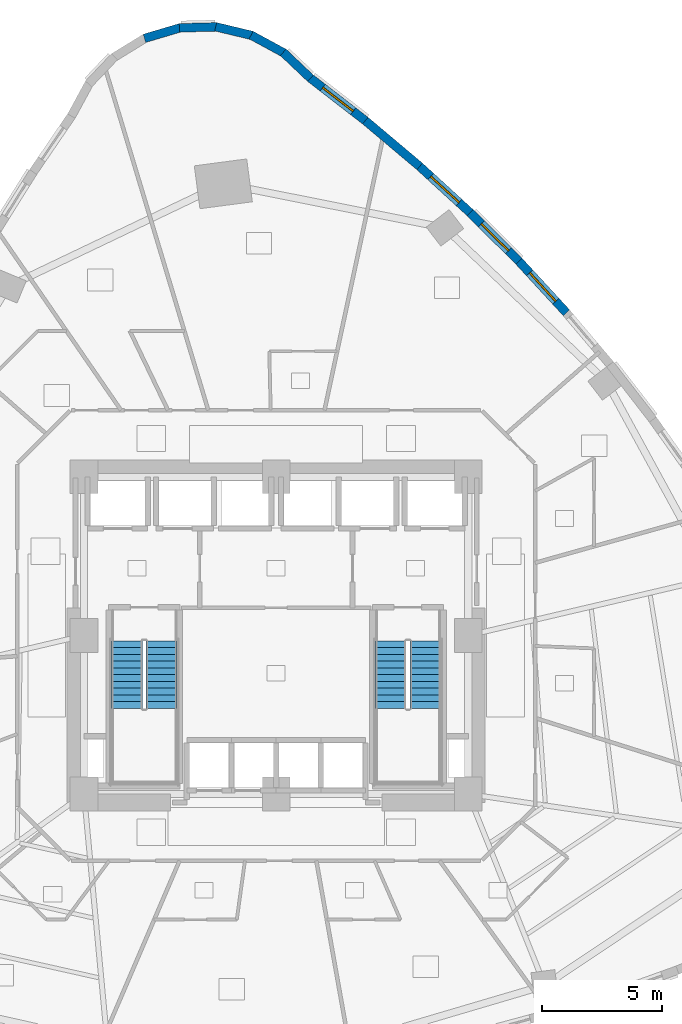
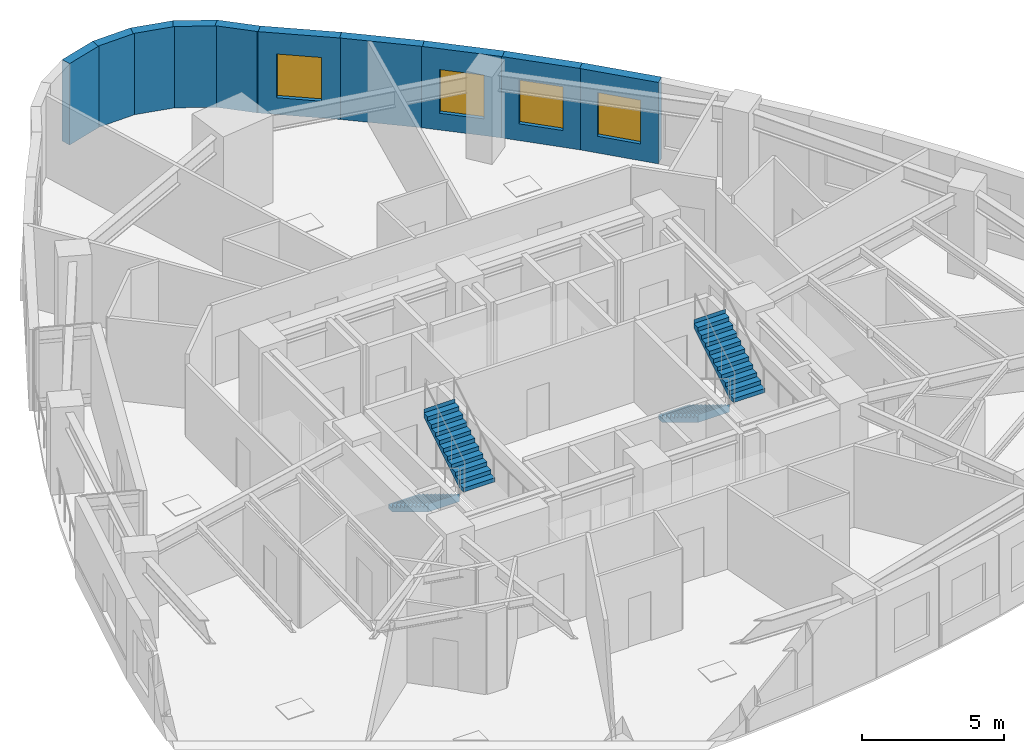
# One storey, part 9 of 12: 10 walls, 4 stair flights, 4 windows, 4 openings, 2 elements without a shape of their own.
"""IFC4 building model written with IfcOpenShell, lengths in metres."""

import ifcopenshell
import ifcopenshell.guid

model = None  # the IFC model being written
_history = None  # IfcOwnerHistory: only IFC2X3 demands one
_inside = {}  # id of a spatial element -> (the spatial element, [elements in it])
_under = {}  # id of a project, library or spatial element -> (it, [spatial elements below it])
_declared = {}  # id of a project -> (the project, [libraries it declares])
_typed = {}  # id of a type object -> (the type object, [elements of that type])
_made_of = {}  # id of a material, layer set ... -> (it, [elements and type objects made of it])


def new_model(schema):
    """Start an empty IFC model of exactly this schema.

    Asked for "IFC4X3", IfcOpenShell would pick the latest addendum, in which some entities
    have other attributes; the version numbers below select the first issue.
    IFC2X3 requires an IfcOwnerHistory on every rooted entity: one is made here for all.
    """
    global model, _history
    if schema == "IFC4X3":
        model = ifcopenshell.file(schema_version=(4, 3, 0, 0))
    else:
        model = ifcopenshell.file(schema=schema)
    _inside.clear()
    _under.clear()
    _declared.clear()
    _typed.clear()
    _made_of.clear()
    _history = None
    if model.schema == "IFC2X3":
        org = make("IfcOrganization", Name="unknown")
        user = make(
            "IfcPersonAndOrganization",
            ThePerson=make("IfcPerson", FamilyName="unknown"),
            TheOrganization=org,
        )
        app = make(
            "IfcApplication",
            ApplicationDeveloper=org,
            Version="unknown",
            ApplicationFullName="unknown",
            ApplicationIdentifier="unknown",
        )
        _history = make(
            "IfcOwnerHistory",
            OwningUser=user,
            OwningApplication=app,
            ChangeAction="ADDED",
            CreationDate=0,
        )
    return model


def make(cls, **values):
    """One entity of the class cls with the attributes given. An attribute that is None is left unset."""
    return model.create_entity(
        cls, **{name: value for name, value in values.items() if value is not None}
    )


def rooted(cls, **values):
    """An entity with a GlobalId (a new one), such as an element, a storey or a relation."""
    return make(cls, GlobalId=ifcopenshell.guid.new(), OwnerHistory=_history, **values)


def si_unit(unit_type, name, prefix=None):
    """IfcSIUnit, for example si_unit("LENGTHUNIT", "METRE", prefix="MILLI")."""
    return make("IfcSIUnit", UnitType=unit_type, Prefix=prefix, Name=name)


def assignment(units):
    """IfcUnitAssignment: the units of a project."""
    return None if units is None else make("IfcUnitAssignment", Units=units)


def point(xyz):
    """IfcCartesianPoint."""
    return None if xyz is None else make("IfcCartesianPoint", Coordinates=xyz)


def direction(xyz):
    """IfcDirection."""
    return None if xyz is None else make("IfcDirection", DirectionRatios=xyz)


def frame(location, z_axis=None, x_axis=None):
    """IfcAxis2Placement3D, a coordinate frame: its origin and axes. An axis left out is left unset."""
    return make(
        "IfcAxis2Placement3D",
        Location=point(location),
        Axis=direction(z_axis),
        RefDirection=direction(x_axis),
    )


def frame_2d(location, x_axis=None):
    """IfcAxis2Placement2D, a coordinate frame in the plane: its origin and x axis."""
    return make(
        "IfcAxis2Placement2D", Location=point(location), RefDirection=direction(x_axis)
    )


def origin():
    """The frame at (0, 0, 0) with its axes left unset."""
    return frame((0.0, 0.0, 0.0))


def place(relative_to, where):
    """IfcLocalPlacement: puts the frame where relative to a parent placement (None: the world)."""
    return make(
        "IfcLocalPlacement", PlacementRelTo=relative_to, RelativePlacement=where
    )


def context(
    kind, dimensions, precision=None, world=None, true_north=None, identifier=None
):
    """IfcGeometricRepresentationContext, for example the 3D "Model" context."""
    return make(
        "IfcGeometricRepresentationContext",
        ContextIdentifier=identifier,
        ContextType=kind,
        CoordinateSpaceDimension=dimensions,
        Precision=precision,
        WorldCoordinateSystem=world,
        TrueNorth=true_north,
    )


def subcontext(parent, identifier, kind, view, scale=None):
    """IfcGeometricRepresentationSubContext, for example "Body" below "Model"."""
    return make(
        "IfcGeometricRepresentationSubContext",
        ContextIdentifier=identifier,
        ContextType=kind,
        ParentContext=parent,
        TargetScale=scale,
        TargetView=view,
    )


def project(units=None, contexts=None):
    """IfcProject with its units and contexts."""
    return rooted(
        "IfcProject",
        Name="project",
        RepresentationContexts=contexts,
        UnitsInContext=assignment(units),
    )


def spatial(cls, under=None, at=None, **own):
    """A site, building, storey or space (cls), placed at a placement, below another one or the project."""
    s = rooted(cls, ObjectPlacement=at, **own)
    if under is not None:
        _under.setdefault(under.id(), (under, []))[1].append(s)
    return s


def polyline(points):
    """IfcPolyline through the points."""
    return make("IfcPolyline", Points=[point(p) for p in points])


def profile(cls, at=None, kind="AREA", **sizes):
    """A parametric profile (cls). Its sizes go by their IFC names, for example OverallWidth=200.0."""
    return make(cls, ProfileType=kind, Position=at, **sizes)


def rectangle(**sizes):
    """IfcRectangleProfileDef."""
    return profile("IfcRectangleProfileDef", **sizes)


def outline(outer, holes=None, kind="AREA"):
    """IfcArbitraryClosedProfileDef: a profile drawn as a closed curve; with holes, ...WithVoids."""
    if holes is None:
        return make("IfcArbitraryClosedProfileDef", ProfileType=kind, OuterCurve=outer)
    return make(
        "IfcArbitraryProfileDefWithVoids",
        ProfileType=kind,
        OuterCurve=outer,
        InnerCurves=holes,
    )


def extrude(swept, where, along, depth):
    """IfcExtrudedAreaSolid: the profile swept, set in the frame where, extruded along a direction by depth."""
    return make(
        "IfcExtrudedAreaSolid",
        SweptArea=swept,
        Position=where,
        ExtrudedDirection=direction(along),
        Depth=depth,
    )


def shape(context_of_items, identifier, shape_type, items):
    """IfcShapeRepresentation: the items that make up one representation, for example the "Body"."""
    return make(
        "IfcShapeRepresentation",
        ContextOfItems=context_of_items,
        RepresentationIdentifier=identifier,
        RepresentationType=shape_type,
        Items=items,
    )


def material(Name=None, Category=None):
    """IfcMaterial."""
    return make("IfcMaterial", Name=Name, Category=Category)


def layer(
    of_material, thickness, ventilated=None, Name=None, Category=None, Priority=None
):
    """IfcMaterialLayer: one layer of a wall or slab, of a material (None: an air gap)."""
    return make(
        "IfcMaterialLayer",
        Material=of_material,
        LayerThickness=thickness,
        IsVentilated=ventilated,
        Name=Name,
        Category=Category,
        Priority=Priority,
    )


def layer_set(layers, Name=None):
    """IfcMaterialLayerSet."""
    return make("IfcMaterialLayerSet", MaterialLayers=layers, LayerSetName=Name)


def made_of(thing, what):
    """Note that an element or type object is made of a material, layer set ...; save() writes the relation."""
    if what is not None:
        _made_of.setdefault(what.id(), (what, []))[1].append(thing)
    return thing


def type_object(cls, material=None, **own):
    """A type object (cls), such as IfcWallType, which elements share."""
    return made_of(rooted(cls, **own), material)


def element(
    cls,
    number,
    at=None,
    inside=None,
    cuts=None,
    type_object=None,
    material=None,
    context=None,
    identifier="Body",
    shape_type=None,
    held_by="IfcProductDefinitionShape",
    body=None,
    shapes=None,
    **own,
):
    """One element of the class cls, such as IfcWall. Its Tag is "e" and its number.

    at: its placement. inside: the storey or other place that contains it. cuts: it is an
    opening in that element (IfcRelVoidsElement). A single representation is given by context,
    identifier, shape_type and body (its items); several are given by shapes. held_by: the class
    of the entity that holds the representations. save() writes the other relations.
    """
    e = rooted(cls, Tag="e%d" % number, ObjectPlacement=at, **own)
    if body is not None:
        shapes = [shape(context, identifier, shape_type, body)]
    if shapes is not None:
        e.Representation = make(held_by, Representations=shapes)
    if inside is not None:
        _inside.setdefault(inside.id(), (inside, []))[1].append(e)
    if cuts is not None:
        rooted(
            "IfcRelVoidsElement", RelatingBuildingElement=cuts, RelatedOpeningElement=e
        )
    if type_object is not None:
        _typed.setdefault(type_object.id(), (type_object, []))[1].append(e)
    return made_of(e, material)


def fill(opening, filler):
    """IfcRelFillsElement: the door or window that sits in an opening."""
    return rooted(
        "IfcRelFillsElement",
        RelatingOpeningElement=opening,
        RelatedBuildingElement=filler,
    )


def aggregate(whole, parts):
    """IfcRelAggregates: a whole, such as a stair, and the parts it consists of."""
    return rooted("IfcRelAggregates", RelatingObject=whole, RelatedObjects=parts)


def save(model, path):
    """Write the relations noted so far, then the file.

    IfcRelAggregates (storeys below a building ...), IfcRelContainedInSpatialStructure (elements
    in a storey), IfcRelDefinesByType, IfcRelAssociatesMaterial and IfcRelDeclares: one each for
    every whole, place, type object, material and project.
    """
    for whole, parts in _under.values():
        aggregate(whole, parts)
    for where, things in _inside.values():
        rooted(
            "IfcRelContainedInSpatialStructure",
            RelatedElements=things,
            RelatingStructure=where,
        )
    for kind, things in _typed.values():
        rooted("IfcRelDefinesByType", RelatedObjects=things, RelatingType=kind)
    for what, things in _made_of.values():
        rooted("IfcRelAssociatesMaterial", RelatedObjects=things, RelatingMaterial=what)
    for by, libraries in _declared.values():
        rooted("IfcRelDeclares", RelatingContext=by, RelatedDefinitions=libraries)
    model.write(path)


model = new_model("IFC4")

# Units and contexts
model_context = context("Model", 3, precision=1e-05, world=origin(), true_north=direction((0.0, 1.0)))
body_context = subcontext(model_context, "Body", "Model", "MODEL_VIEW")
ifc_project = project(units=[si_unit("LENGTHUNIT", "METRE"), si_unit("AREAUNIT", "SQUARE_METRE"), si_unit("VOLUMEUNIT", "CUBIC_METRE"), si_unit("PLANEANGLEUNIT", "RADIAN"), si_unit("MASSUNIT", "GRAM", prefix="KILO")], contexts=[model_context])

# Site, building, storey
site_placement = place(None, origin())
site = spatial("IfcSite", under=ifc_project, at=site_placement, CompositionType="ELEMENT")
building_placement = place(site_placement, origin())
building = spatial("IfcBuilding", under=site, at=building_placement, Name="Ndelora Gate Hotel", CompositionType="ELEMENT")
storey_placement = place(building_placement, frame((0.0, 0.0, 60.5)))
storey = spatial("IfcBuildingStorey", under=building, at=storey_placement, Name="L14", CompositionType="ELEMENT", Elevation=60.5)

# Walls
ifc_material_1 = material(Name="Clay Brick Masonry", Category="masonry")
ifc_layer = layer(ifc_material_1, 0.360107421875)
ifc_layer_set = layer_set([ifc_layer], Name="Clay Brick Masonry")
wall_type = type_object("IfcWallType", Name="WL-BRICK-360", PredefinedType="SOLIDWALL", material=ifc_layer_set)
for number, where, z_axis, x_axis, name in (
    (1, (0.29248046875, 24.2734375, 0.0), (0.0, 0.0, 1.0), (0.725361771345, -0.688367852729, 0.0), "L14 Tower Brick Pier-and-Spandrel Wall TWR-1"),
    (2, (-1.0419921875, 24.99072265625, 0.0), (0.0, 0.0, 1.0), (0.878806678118, -0.477177977799, 0.0), "L14 Tower Brick Pier-and-Spandrel Wall TWR-2"),
    (3, (-2.5166015625, 25.337890625, 0.0), (0.0, 0.0, 1.0), (0.972385884962, -0.233378856641, 0.0), "L14 Tower Brick Pier-and-Spandrel Wall TWR-3"),
):
    element("IfcWall", number, at=place(storey_placement, frame(where, z_axis=z_axis, x_axis=x_axis)), inside=storey, type_object=wall_type, Name=name, PredefinedType="SOLIDWALL", context=body_context, shape_type="SweptSolid", body=[
        extrude(rectangle(XDim=1.56396484375, YDim=0.360107421875, at=frame_2d((0.781982421875, 0.0))), origin(), (0.0, 0.0, 1.0), 3.5),
    ])
for number, where, z_axis, x_axis, name in (
    (4, (-4.031005859375, 25.2919921875, 0.0), (0.0, 0.0, 1.0), (0.999656183846, 0.026220490068, 0.0), "L14 Tower Brick Pier-and-Spandrel Wall TWR-4"),
    (5, (-5.481689453125, 24.85546875, 0.0), (0.0, 0.0, 1.0), (0.958804410816, 0.284067072714, 0.0), "L14 Tower Brick Pier-and-Spandrel Wall TWR-5"),
):
    element("IfcWall", number, at=place(storey_placement, frame(where, z_axis=z_axis, x_axis=x_axis)), inside=storey, type_object=wall_type, Name=name, PredefinedType="SOLIDWALL", context=body_context, shape_type="SweptSolid", body=[
        extrude(rectangle(XDim=1.564208984375, YDim=0.360107421875, at=frame_2d((0.7822265625, 0.0))), origin(), (0.0, 0.0, 1.0), 3.5),
    ])

# Wall, opening, window
wall_1_placement = place(storey_placement, frame((10.108642578125, 15.57568359375, 0.0), z_axis=(0.0, 0.0, 1.0), x_axis=(0.677705882399, -0.735333078925, 0.0)))
wall_1 = element("IfcWall", 6, at=wall_1_placement, inside=storey, type_object=wall_type, Name="L14 Tower Brick Pier-and-Spandrel Wall TWR-54", PredefinedType="SOLIDWALL", context=body_context, shape_type="SweptSolid", body=[
    extrude(rectangle(XDim=2.914794921875, YDim=0.360107421875, at=frame_2d((1.45751953125, 0.0))), origin(), (0.0, 0.0, 1.0), 3.5),
])
opening_1_placement = place(wall_1_placement, frame((0.657470703125, 0.0, 0.719970703125)))
opening_1 = element("IfcOpeningElement", 7, at=opening_1_placement, cuts=wall_1, Name="Opening W01", PredefinedType="OPENING", context=body_context, shape_type="SweptSolid", body=[
    extrude(rectangle(XDim=1.60009765625, YDim=1.8798828125, at=frame_2d((0.800048828125, 0.93994140625))), frame((0.0, 0.18994140625, 0.0), z_axis=(0.0, -1.0, 0.0), x_axis=(1.0, 0.0, 0.0)), (0.0, 0.0, 1.0), 0.380126953125),
])
ifc_material_2 = material(Name="Insulated Low-E Double Glazing in Bronze Aluminium Frame", Category="aluminium")
window_type = type_object("IfcWindowType", Name="WN-DEEP-1600", PartitioningType="SINGLE_PANEL", PredefinedType="WINDOW", material=ifc_material_2)
window_1_placement = place(opening_1_placement, origin())
window_1 = element("IfcWindow", 8, at=window_1_placement, inside=storey, type_object=window_type, Name="L14 Deep-Set Brick-Pier Window W01", OverallHeight=1.8798828125, OverallWidth=1.60009765625, PartitioningType="SINGLE_PANEL", PredefinedType="WINDOW", context=body_context, shape_type="SweptSolid", body=[
    extrude(rectangle(XDim=1.60009765625, YDim=1.8798828125, at=frame_2d((0.800048828125, 0.93994140625))), frame((0.0, 0.030029296875, 0.0), z_axis=(0.0, -1.0, 0.0), x_axis=(1.0, 0.0, 0.0)), (0.0, 0.0, 1.0), 0.06005859375),
])
fill(opening_1, window_1)

wall_2_placement = place(storey_placement, frame((8.071044921875, 17.6044921875, 0.0), z_axis=(0.0, 0.0, 1.0), x_axis=(0.708357483008, -0.705853863251, 0.0)))
wall_2 = element("IfcWall", 9, at=wall_2_placement, inside=storey, type_object=wall_type, Name="L14 Tower Brick Pier-and-Spandrel Wall TWR-55", PredefinedType="SOLIDWALL", context=body_context, shape_type="SweptSolid", body=[
    extrude(rectangle(XDim=2.925537109375, YDim=0.360107421875, at=frame_2d((1.462890625, 0.0))), origin(), (0.0, 0.0, 1.0), 3.5),
])
opening_2_placement = place(wall_2_placement, frame((0.66259765625, 0.0, 0.719970703125)))
opening_2 = element("IfcOpeningElement", 10, at=opening_2_placement, cuts=wall_2, Name="Opening W01", PredefinedType="OPENING", context=body_context, shape_type="SweptSolid", body=[
    extrude(rectangle(XDim=1.60009765625, YDim=1.8798828125, at=frame_2d((0.800048828125, 0.93994140625))), frame((0.0, 0.18994140625, 0.0), z_axis=(0.0, -1.0, 0.0), x_axis=(1.0, 0.0, 0.0)), (0.0, 0.0, 1.0), 0.380126953125),
])
window_2_placement = place(opening_2_placement, origin())
window_2 = element("IfcWindow", 11, at=window_2_placement, inside=storey, type_object=window_type, Name="L14 Deep-Set Brick-Pier Window W01", OverallHeight=1.8798828125, OverallWidth=1.60009765625, PartitioningType="SINGLE_PANEL", PredefinedType="WINDOW", context=body_context, shape_type="SweptSolid", body=[
    extrude(rectangle(XDim=1.60009765625, YDim=1.8798828125, at=frame_2d((0.800048828125, 0.93994140625))), frame((0.0, 0.030029296875, 0.0), z_axis=(0.0, -1.0, 0.0), x_axis=(1.0, 0.0, 0.0)), (0.0, 0.0, 1.0), 0.06005859375),
])
fill(opening_2, window_2)

wall_3_placement = place(storey_placement, frame((5.938720703125, 19.556396484375, 0.0), z_axis=(0.0, 0.0, 1.0), x_axis=(0.73735397448, -0.67550656275, 0.0)))
wall_3 = element("IfcWall", 12, at=wall_3_placement, inside=storey, type_object=wall_type, Name="L14 Tower Brick Pier-and-Spandrel Wall TWR-56", PredefinedType="SOLIDWALL", context=body_context, shape_type="SweptSolid", body=[
    extrude(rectangle(XDim=2.94091796875, YDim=0.360107421875, at=frame_2d((1.470458984375, 0.0))), origin(), (0.0, 0.0, 1.0), 3.5),
])
opening_3_placement = place(wall_3_placement, frame((0.67041015625, 0.0, 0.719970703125)))
opening_3 = element("IfcOpeningElement", 13, at=opening_3_placement, cuts=wall_3, Name="Opening W01", PredefinedType="OPENING", context=body_context, shape_type="SweptSolid", body=[
    extrude(rectangle(XDim=1.60009765625, YDim=1.8798828125, at=frame_2d((0.800048828125, 0.93994140625))), frame((0.0, 0.18994140625, 0.0), z_axis=(0.0, -1.0, 0.0), x_axis=(1.0, 0.0, 0.0)), (0.0, 0.0, 1.0), 0.380126953125),
])
window_3_placement = place(opening_3_placement, origin())
window_3 = element("IfcWindow", 14, at=window_3_placement, inside=storey, type_object=window_type, Name="L14 Deep-Set Brick-Pier Window W01", OverallHeight=1.8798828125, OverallWidth=1.60009765625, PartitioningType="SINGLE_PANEL", PredefinedType="WINDOW", context=body_context, shape_type="SweptSolid", body=[
    extrude(rectangle(XDim=1.60009765625, YDim=1.8798828125, at=frame_2d((0.800048828125, 0.93994140625))), frame((0.0, 0.030029296875, 0.0), z_axis=(0.0, -1.0, 0.0), x_axis=(1.0, 0.0, 0.0)), (0.0, 0.0, 1.0), 0.06005859375),
])
fill(opening_3, window_3)

# Wall
wall_4_placement = place(storey_placement, frame((3.71142578125, 21.431396484375, 0.0), z_axis=(0.0, 0.0, 1.0), x_axis=(0.764797881092, -0.644270285732, 0.0)))
element("IfcWall", 15, at=wall_4_placement, inside=storey, type_object=wall_type, Name="L14 Tower Brick Pier-and-Spandrel Wall TWR-57", PredefinedType="SOLIDWALL", context=body_context, shape_type="SweptSolid", body=[
    extrude(rectangle(XDim=2.96142578125, YDim=0.360107421875, at=frame_2d((1.480712890625, 0.0))), origin(), (0.0, 0.0, 1.0), 3.5),
])

# Wall, opening, window
wall_5_placement = place(storey_placement, frame((1.388916015625, 23.229248046875, 0.0), z_axis=(0.0, 0.0, 1.0), x_axis=(0.79052584694, -0.612428677742, 0.0)))
wall_5 = element("IfcWall", 16, at=wall_5_placement, inside=storey, type_object=wall_type, Name="L14 Tower Brick Pier-and-Spandrel Wall TWR-58", PredefinedType="SOLIDWALL", context=body_context, shape_type="SweptSolid", body=[
    extrude(rectangle(XDim=2.987060546875, YDim=0.360107421875, at=frame_2d((1.49365234375, 0.0))), origin(), (0.0, 0.0, 1.0), 3.5),
])
opening_4_placement = place(wall_5_placement, frame((0.693603515625, 0.0, 0.719970703125)))
opening_4 = element("IfcOpeningElement", 17, at=opening_4_placement, cuts=wall_5, Name="Opening W01", PredefinedType="OPENING", context=body_context, shape_type="SweptSolid", body=[
    extrude(rectangle(XDim=1.60009765625, YDim=1.8798828125, at=frame_2d((0.800048828125, 0.93994140625))), frame((0.0, 0.18994140625, 0.0), z_axis=(0.0, -1.0, 0.0), x_axis=(1.0, 0.0, 0.0)), (0.0, 0.0, 1.0), 0.380126953125),
])
window_4_placement = place(opening_4_placement, origin())
window_4 = element("IfcWindow", 18, at=window_4_placement, inside=storey, type_object=window_type, Name="L14 Deep-Set Brick-Pier Window W01", OverallHeight=1.8798828125, OverallWidth=1.60009765625, PartitioningType="SINGLE_PANEL", PredefinedType="WINDOW", context=body_context, shape_type="SweptSolid", body=[
    extrude(rectangle(XDim=1.60009765625, YDim=1.8798828125, at=frame_2d((0.800048828125, 0.93994140625))), frame((0.0, 0.030029296875, 0.0), z_axis=(0.0, -1.0, 0.0), x_axis=(1.0, 0.0, 0.0)), (0.0, 0.0, 1.0), 0.06005859375),
])
fill(opening_4, window_4)

# Stair, stair flights
ifc_material_3 = material(Name="Precast concrete C40/50", Category="concrete")
stair_type = type_object("IfcStairType", Name="STR-DOG-CORE", PredefinedType="HALF_TURN_STAIR", material=ifc_material_3)
stair_1_placement = place(storey_placement, origin())
stair_1 = element("IfcStair", 19, at=stair_1_placement, inside=storey, type_object=stair_type, Name="L14 Protected Core Exit Stair ST4", PredefinedType="HALF_TURN_STAIR")
stair_flight_type = type_object("IfcStairFlightType", Name="STF-PRECAST", PredefinedType="STRAIGHT", material=ifc_material_3)
stair_flight_1_placement = place(storey_placement, frame((-6.2099609375, -0.22998046875, 0.0), z_axis=(0.0, 0.0, 1.0), x_axis=(0.0, -1.0, 0.0)))
stair_flight_1 = element("IfcStairFlight", 20, at=stair_flight_1_placement, type_object=stair_flight_type, Name="ST4 flight 1", NumberOfRisers=11, NumberOfTreads=10, PredefinedType="STRAIGHT", RiserHeight=0.170454545, TreadLength=0.28, context=body_context, shape_type="SweptSolid", body=[
    extrude(outline(polyline([(-0.00048828125, 0.0), (-0.00048828125, 0.17041015625), (0.0, 0.17041015625), (0.280029296875, 0.17041015625), (0.280029296875, 0.3408203125), (0.56005859375, 0.3408203125), (0.56005859375, 0.511474609375), (0.840087890625, 0.511474609375), (0.840087890625, 0.681884765625), (1.1201171875, 0.681884765625), (1.1201171875, 0.852294921875), (1.39990234375, 0.852294921875), (1.39990234375, 1.022705078125), (1.679931640625, 1.022705078125), (1.679931640625, 1.193115234375), (1.9599609375, 1.193115234375), (1.9599609375, 1.363525390625), (2.239990234375, 1.363525390625), (2.239990234375, 1.5341796875), (2.52001953125, 1.5341796875), (2.52001953125, 1.70458984375), (2.800048828125, 1.70458984375), (2.800048828125, 1.875), (2.800537109375, 1.875), (2.800537109375, 1.695068359375), (2.800048828125, 1.529052734375), (0.288330078125, 0.0), (-0.00048828125, 0.0)])), frame((0.0, 0.64013671875, 0.0), z_axis=(0.0, -1.0, 0.0), x_axis=(1.0, 0.0, 0.0)), (0.0, 0.0, 1.0), 1.280029296875),
])
stair_flight_2_placement = place(storey_placement, frame((-4.77001953125, -3.030029296875, 1.875), z_axis=(0.0, 0.0, 1.0), x_axis=(0.0, 1.0, 0.0)))
stair_flight_2 = element("IfcStairFlight", 21, at=stair_flight_2_placement, type_object=stair_flight_type, Name="ST4 flight 2", NumberOfRisers=11, NumberOfTreads=10, PredefinedType="STRAIGHT", RiserHeight=0.170454545, TreadLength=0.28, context=body_context, shape_type="SweptSolid", body=[
    extrude(outline(polyline([(-0.00048828125, 0.0), (-0.00048828125, 0.17041015625), (0.0, 0.17041015625), (0.280029296875, 0.17041015625), (0.280029296875, 0.3408203125), (0.56005859375, 0.3408203125), (0.56005859375, 0.511474609375), (0.840087890625, 0.511474609375), (0.840087890625, 0.681884765625), (1.1201171875, 0.681884765625), (1.1201171875, 0.852294921875), (1.39990234375, 0.852294921875), (1.39990234375, 1.022705078125), (1.679931640625, 1.022705078125), (1.679931640625, 1.193115234375), (1.9599609375, 1.193115234375), (1.9599609375, 1.363525390625), (2.239990234375, 1.363525390625), (2.239990234375, 1.5341796875), (2.52001953125, 1.5341796875), (2.52001953125, 1.70458984375), (2.800048828125, 1.70458984375), (2.800048828125, 1.875), (2.800537109375, 1.875), (2.800537109375, 1.695068359375), (2.800048828125, 1.529052734375), (0.288330078125, 0.0), (-0.00048828125, 0.0)])), frame((0.0, 0.64013671875, 0.0), z_axis=(0.0, -1.0, 0.0), x_axis=(1.0, 0.0, 0.0)), (0.0, 0.0, 1.0), 1.280029296875),
])
aggregate(stair_1, [stair_flight_1, stair_flight_2])

stair_2_placement = place(storey_placement, origin())
stair_2 = element("IfcStair", 22, at=stair_2_placement, inside=storey, type_object=stair_type, Name="L14 Protected Core Exit Stair ST5", PredefinedType="HALF_TURN_STAIR")
stair_flight_3_placement = place(storey_placement, frame((4.77001953125, -0.22998046875, 0.0), z_axis=(0.0, 0.0, 1.0), x_axis=(0.0, -1.0, 0.0)))
stair_flight_3 = element("IfcStairFlight", 23, at=stair_flight_3_placement, type_object=stair_flight_type, Name="ST5 flight 1", NumberOfRisers=11, NumberOfTreads=10, PredefinedType="STRAIGHT", RiserHeight=0.170454545, TreadLength=0.28, context=body_context, shape_type="SweptSolid", body=[
    extrude(outline(polyline([(-0.00048828125, 0.0), (-0.00048828125, 0.17041015625), (0.0, 0.17041015625), (0.280029296875, 0.17041015625), (0.280029296875, 0.3408203125), (0.56005859375, 0.3408203125), (0.56005859375, 0.511474609375), (0.840087890625, 0.511474609375), (0.840087890625, 0.681884765625), (1.1201171875, 0.681884765625), (1.1201171875, 0.852294921875), (1.39990234375, 0.852294921875), (1.39990234375, 1.022705078125), (1.679931640625, 1.022705078125), (1.679931640625, 1.193115234375), (1.9599609375, 1.193115234375), (1.9599609375, 1.363525390625), (2.239990234375, 1.363525390625), (2.239990234375, 1.5341796875), (2.52001953125, 1.5341796875), (2.52001953125, 1.70458984375), (2.800048828125, 1.70458984375), (2.800048828125, 1.875), (2.800537109375, 1.875), (2.800537109375, 1.695068359375), (2.800048828125, 1.529052734375), (0.288330078125, 0.0), (-0.00048828125, 0.0)])), frame((0.0, 0.64013671875, 0.0), z_axis=(0.0, -1.0, 0.0), x_axis=(1.0, 0.0, 0.0)), (0.0, 0.0, 1.0), 1.280029296875),
])
stair_flight_4_placement = place(storey_placement, frame((6.2099609375, -3.030029296875, 1.875), z_axis=(0.0, 0.0, 1.0), x_axis=(0.0, 1.0, 0.0)))
stair_flight_4 = element("IfcStairFlight", 24, at=stair_flight_4_placement, type_object=stair_flight_type, Name="ST5 flight 2", NumberOfRisers=11, NumberOfTreads=10, PredefinedType="STRAIGHT", RiserHeight=0.170454545, TreadLength=0.28, context=body_context, shape_type="SweptSolid", body=[
    extrude(outline(polyline([(-0.00048828125, 0.0), (-0.00048828125, 0.17041015625), (0.0, 0.17041015625), (0.280029296875, 0.17041015625), (0.280029296875, 0.3408203125), (0.56005859375, 0.3408203125), (0.56005859375, 0.511474609375), (0.840087890625, 0.511474609375), (0.840087890625, 0.681884765625), (1.1201171875, 0.681884765625), (1.1201171875, 0.852294921875), (1.39990234375, 0.852294921875), (1.39990234375, 1.022705078125), (1.679931640625, 1.022705078125), (1.679931640625, 1.193115234375), (1.9599609375, 1.193115234375), (1.9599609375, 1.363525390625), (2.239990234375, 1.363525390625), (2.239990234375, 1.5341796875), (2.52001953125, 1.5341796875), (2.52001953125, 1.70458984375), (2.800048828125, 1.70458984375), (2.800048828125, 1.875), (2.800537109375, 1.875), (2.800537109375, 1.695068359375), (2.800048828125, 1.529052734375), (0.288330078125, 0.0), (-0.00048828125, 0.0)])), frame((0.0, 0.64013671875, 0.0), z_axis=(0.0, -1.0, 0.0), x_axis=(1.0, 0.0, 0.0)), (0.0, 0.0, 1.0), 1.280029296875),
])
aggregate(stair_2, [stair_flight_3, stair_flight_4])

save(model, "model.ifc")
